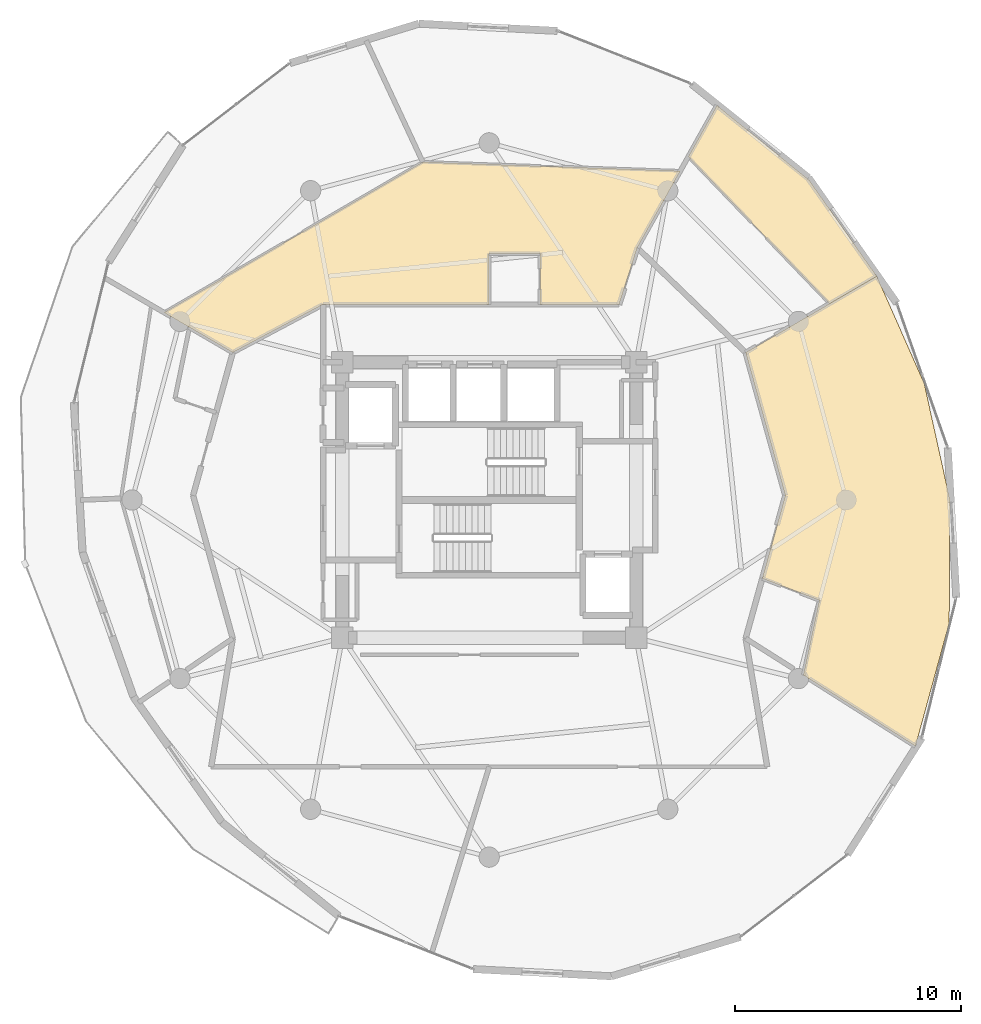
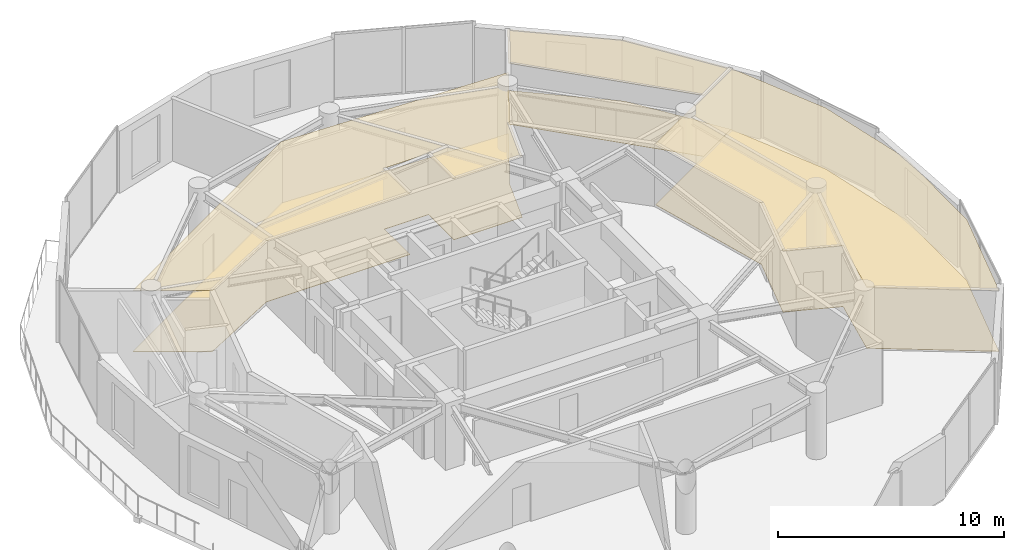
# One storey, part 18 of 18: 6 coverings.
"""IFC4 building model written with IfcOpenShell, lengths in metres."""

from ifc_helpers import new_model, si_unit, direction, frame, origin, place, context, subcontext, project, spatial, polyline, outline, extrude, material, layer, layer_set, type_object, element, save


model = new_model("IFC4")

# Units and contexts
model_context = context("Model", 3, precision=1e-05, world=origin(), true_north=direction((0.0, 1.0)))
body_context = subcontext(model_context, "Body", "Model", "MODEL_VIEW")
ifc_project = project(units=[si_unit("LENGTHUNIT", "METRE"), si_unit("AREAUNIT", "SQUARE_METRE"), si_unit("VOLUMEUNIT", "CUBIC_METRE"), si_unit("PLANEANGLEUNIT", "RADIAN"), si_unit("MASSUNIT", "GRAM", prefix="KILO")], contexts=[model_context])

# Site, building, storey
site_placement = place(None, origin())
site = spatial("IfcSite", under=ifc_project, at=site_placement, CompositionType="ELEMENT")
building_placement = place(site_placement, origin())
building = spatial("IfcBuilding", under=site, at=building_placement, Name="Solvirekh Grand Hotel", CompositionType="ELEMENT")
storey_placement = place(building_placement, frame((0.0, 0.0, 198.39990234375)))
storey = spatial("IfcBuildingStorey", under=building, at=storey_placement, Name="L51", CompositionType="ELEMENT", Elevation=198.39990234375)

# Coverings
ifc_material_1 = material(Name="Acoustic Mineral Ceiling Tile")
ifc_layer_1 = layer(ifc_material_1, 0.02490234375)
ifc_layer_set_1 = layer_set([ifc_layer_1], Name="Acoustic Mineral Ceiling Tile")
covering_type_1 = type_object("IfcCoveringType", Name="Cov_Ceiling_Acoustic", PredefinedType="CEILING", material=ifc_layer_set_1)
covering_1_placement = place(storey_placement, frame((0.0, 0.0, 3.31005859375)))
element("IfcCovering", 1, at=covering_1_placement, inside=storey, type_object=covering_type_1, Name="L51 Panorama Suite 5301 Inner Suite Lounge acoustic ceiling", PredefinedType="CEILING", context=body_context, shape_type="SweptSolid", body=[
    extrude(outline(polyline([(0.0, 8.64990234375), (0.0, 10.89990234375), (2.25, 10.89990234375), (2.25, 8.64990234375), (5.75, 8.64990234375), (6.550048828125, 11.155029296875), (8.455078125, 14.556884765625), (-2.93994140625, 14.951904296875), (-14.386962890625, 8.294921875), (-11.344970703125, 6.52490234375), (-7.35009765625, 8.64990234375), (0.0, 8.64990234375)])), origin(), (0.0, 0.0, 1.0), 0.01806640625),
])
covering_2_placement = place(storey_placement, frame((0.0, 0.0, 3.31005859375)))
element("IfcCovering", 2, at=covering_2_placement, inside=storey, type_object=covering_type_1, Name="L51 Diplomatic Suite 5303 Living Room acoustic ceiling", PredefinedType="CEILING", context=body_context, shape_type="SweptSolid", body=[
    extrude(outline(polyline([(14.60400390625, -4.43701171875), (13.89990234375, -7.743896484375), (18.85888671875, -10.887939453125), (20.35009765625, -5.452880859375), (20.383056640625, 0.0), (19.24609375, 5.156982421875), (17.14794921875, 9.90087890625), (11.344970703125, 6.52490234375), (13.10009765625, 0.199951171875), (12.08203125, -3.468994140625), (14.60400390625, -4.43701171875)])), origin(), (0.0, 0.0, 1.0), 0.01806640625),
])
covering_3_placement = place(storey_placement, frame((0.0, 0.0, 3.31005859375)))
element("IfcCovering", 3, at=covering_3_placement, inside=storey, type_object=covering_type_1, Name="L51 Diplomatic Suite 5303 Master Bedroom acoustic ceiling", PredefinedType="CEILING", context=body_context, shape_type="SweptSolid", body=[
    extrude(outline(polyline([(17.14794921875, 9.90087890625), (14.154052734375, 14.154052734375), (10.077880859375, 17.455078125), (8.80810546875, 15.18701171875), (15.05908203125, 8.68603515625), (17.14794921875, 9.90087890625)])), origin(), (0.0, 0.0, 1.0), 0.01806640625),
])
ifc_material_2 = material(Name="Porcelain Stoneware Flooring", Category="masonry")
ifc_layer_2 = layer(ifc_material_2, 0.030029296875)
ifc_layer_set_2 = layer_set([ifc_layer_2], Name="Porcelain Stoneware Flooring")
covering_type_2 = type_object("IfcCoveringType", Name="Cov_Floor_Stone", PredefinedType="FLOORING", material=ifc_layer_set_2)
covering_4_placement = place(storey_placement, origin())
element("IfcCovering", 4, at=covering_4_placement, inside=storey, type_object=covering_type_2, Name="L51 Panorama Suite 5301 Inner Suite Lounge polished granite flooring", PredefinedType="FLOORING", context=body_context, shape_type="SweptSolid", body=[
    extrude(outline(polyline([(0.0, 8.64990234375), (0.0, 10.89990234375), (2.25, 10.89990234375), (2.25, 8.64990234375), (5.75, 8.64990234375), (6.550048828125, 11.155029296875), (8.455078125, 14.556884765625), (-2.93994140625, 14.951904296875), (-14.386962890625, 8.294921875), (-11.344970703125, 6.52490234375), (-7.35009765625, 8.64990234375), (0.0, 8.64990234375)])), origin(), (0.0, 0.0, 1.0), 0.02001953125),
])
covering_5_placement = place(storey_placement, origin())
element("IfcCovering", 5, at=covering_5_placement, inside=storey, type_object=covering_type_2, Name="L51 Diplomatic Suite 5303 Living Room polished granite flooring", PredefinedType="FLOORING", context=body_context, shape_type="SweptSolid", body=[
    extrude(outline(polyline([(14.60400390625, -4.43701171875), (13.89990234375, -7.743896484375), (18.85888671875, -10.887939453125), (20.35009765625, -5.452880859375), (20.383056640625, 0.0), (19.24609375, 5.156982421875), (17.14794921875, 9.90087890625), (11.344970703125, 6.52490234375), (13.10009765625, 0.199951171875), (12.08203125, -3.468994140625), (14.60400390625, -4.43701171875)])), origin(), (0.0, 0.0, 1.0), 0.02001953125),
])
covering_6_placement = place(storey_placement, origin())
element("IfcCovering", 6, at=covering_6_placement, inside=storey, type_object=covering_type_2, Name="L51 Diplomatic Suite 5303 Master Bedroom polished granite flooring", PredefinedType="FLOORING", context=body_context, shape_type="SweptSolid", body=[
    extrude(outline(polyline([(17.14794921875, 9.90087890625), (14.154052734375, 14.154052734375), (10.077880859375, 17.455078125), (8.80810546875, 15.18701171875), (15.05908203125, 8.68603515625), (17.14794921875, 9.90087890625)])), origin(), (0.0, 0.0, 1.0), 0.02001953125),
])

save(model, "model.ifc")
